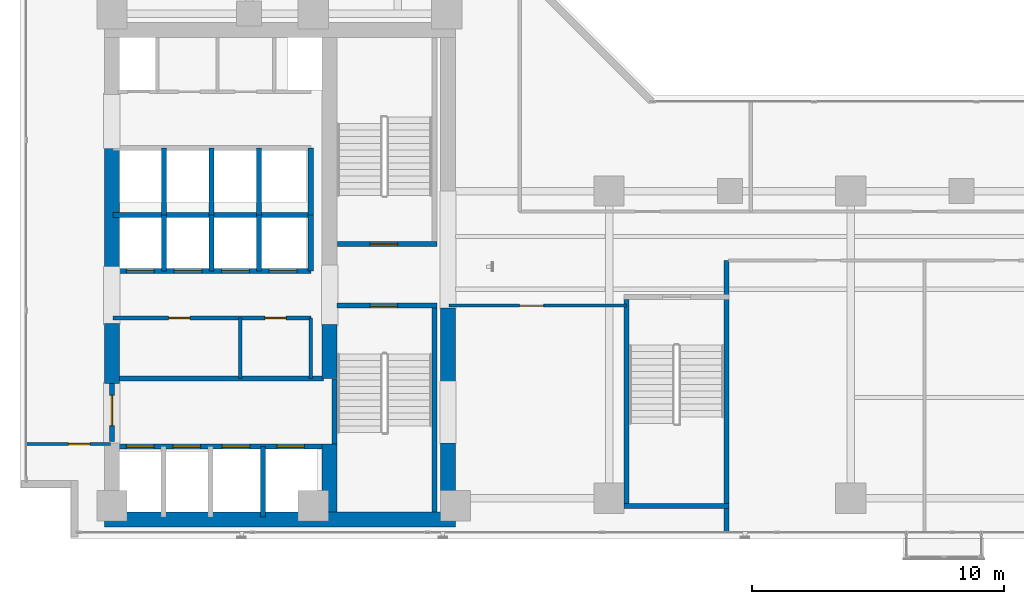
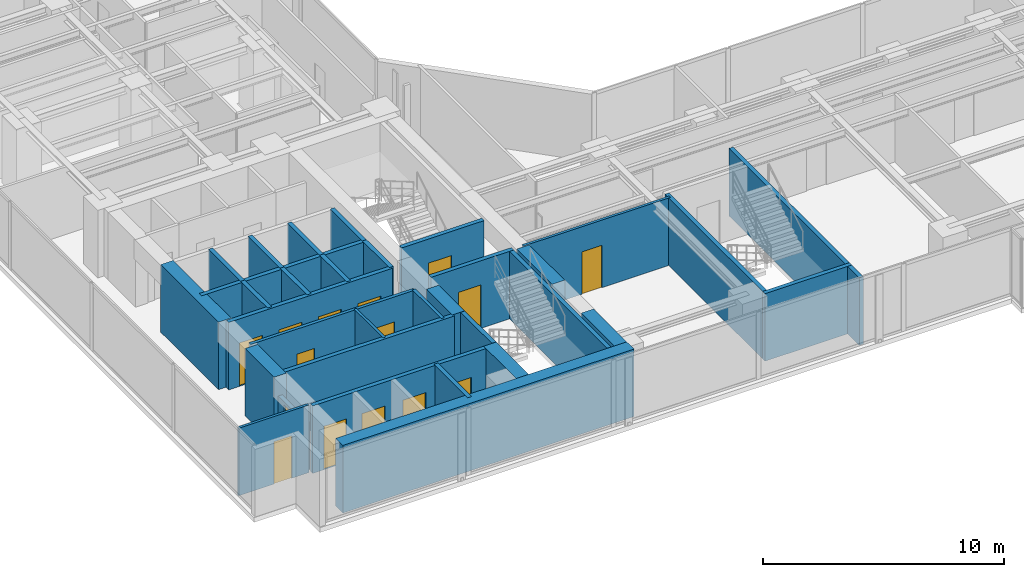
# One storey, part 19 of 26: 33 walls, 15 doors, 15 openings.
"""IFC4 building model written with IfcOpenShell, lengths in metres."""

from ifc_helpers import new_model, si_unit, direction, frame, frame_2d, origin, place, context, subcontext, project, spatial, rectangle, extrude, material, layer, layer_set, type_object, element, fill, save


model = new_model("IFC4")

# Units and contexts
model_context = context("Model", 3, precision=1e-05, world=origin(), true_north=direction((0.0, 1.0)))
body_context = subcontext(model_context, "Body", "Model", "MODEL_VIEW")
ifc_project = project(units=[si_unit("LENGTHUNIT", "METRE"), si_unit("AREAUNIT", "SQUARE_METRE"), si_unit("VOLUMEUNIT", "CUBIC_METRE"), si_unit("PLANEANGLEUNIT", "RADIAN"), si_unit("MASSUNIT", "GRAM", prefix="KILO")], contexts=[model_context])

# Site, building, storey
site_placement = place(None, origin())
site = spatial("IfcSite", under=ifc_project, at=site_placement, CompositionType="ELEMENT")
building_placement = place(site_placement, origin())
building = spatial("IfcBuilding", under=site, at=building_placement, Name="Kolvaren Waterfront Exchange", CompositionType="ELEMENT")
storey_placement = place(building_placement, frame((0.0, 0.0, 195.60009765625)))
storey = spatial("IfcBuildingStorey", under=building, at=storey_placement, Name="L50", CompositionType="ELEMENT", Elevation=195.60009765625)

# Wall, opening, door
ifc_material_1 = material(Name="Precast concrete C40/50", Category="concrete")
ifc_layer_1 = layer(ifc_material_1, 0.199951171875, Name="Precast concrete C40/50")
ifc_layer_set_1 = layer_set([ifc_layer_1], Name="Precast concrete C40/50")
wall_type_1 = type_object("IfcWallType", Name="ARC-FIRE-200", PredefinedType="PARTITIONING", material=ifc_layer_set_1)
wall_1_placement = place(storey_placement, frame((16.39990234375, 12.85009765625, 0.0), z_axis=(0.0, 0.0, 1.0), x_axis=(1.0, 0.0, 0.0)))
wall_1 = element("IfcWall", 1, at=wall_1_placement, inside=storey, type_object=wall_type_1, Name="L50 interior wall PW-L50-ST1-THROAT-S", PredefinedType="PARTITIONING", context=body_context, shape_type="SweptSolid", body=[
    extrude(rectangle(XDim=3.960205078125, YDim=0.199951171875, at=frame_2d((1.97998046875, 0.0))), origin(), (0.0, 0.0, 1.0), 3.419921875),
])
opening_1_placement = place(wall_1_placement, frame((1.3037109375, 0.0, 0.0)))
opening_1 = element("IfcOpeningElement", 2, at=opening_1_placement, cuts=wall_1, Name="Opening FD2", PredefinedType="OPENING", context=body_context, shape_type="SweptSolid", body=[
    extrude(rectangle(XDim=1.10009765625, YDim=2.199951171875, at=frame_2d((0.550048828125, 1.10009765625))), frame((0.0, 0.10986328125, 0.0), z_axis=(0.0, -1.0, 0.0), x_axis=(1.0, 0.0, 0.0)), (0.0, 0.0, 1.0), 0.219970703125),
])
ifc_material_2 = material(Name="Pressed steel smoke-seal fire door", Category="steel")
door_type_1 = type_object("IfcDoorType", Name="ARC-FD-1100", OperationType="NOTDEFINED", PredefinedType="DOOR", material=ifc_material_2)
door_1_placement = place(opening_1_placement, frame((1.10009765625, 0.0, 0.0), z_axis=(0.0, 0.0, 1.0), x_axis=(-1.0, 0.0, 0.0)))
door_1 = element("IfcDoor", 3, at=door_1_placement, inside=storey, type_object=door_type_1, Name="L50 door DR-L50-ST1-IN (FD2)", OperationType="SINGLE_SWING_LEFT", OverallHeight=2.199951171875, OverallWidth=1.10009765625, PredefinedType="DOOR", context=body_context, shape_type="SweptSolid", body=[
    extrude(rectangle(XDim=1.10009765625, YDim=2.199951171875, at=frame_2d((0.550048828125, 1.10009765625))), frame((0.0, 0.02490234375, 0.0), z_axis=(0.0, -1.0, 0.0), x_axis=(1.0, 0.0, 0.0)), (0.0, 0.0, 1.0), 0.050048828125),
])
fill(opening_1, door_1)

wall_2_placement = place(storey_placement, frame((16.409912109375, 15.300048828125, 0.0), z_axis=(0.0, 0.0, 1.0), x_axis=(1.0, 0.0, 0.0)))
wall_2 = element("IfcWall", 4, at=wall_2_placement, inside=storey, type_object=wall_type_1, Name="L50 interior wall PW-L50-ST2-THROAT-N", PredefinedType="PARTITIONING", context=body_context, shape_type="SweptSolid", body=[
    extrude(rectangle(XDim=3.9501953125, YDim=0.199951171875, at=frame_2d((1.97509765625, 0.0))), origin(), (0.0, 0.0, 1.0), 3.419921875),
])
opening_2_placement = place(wall_2_placement, frame((1.293701171875, 0.0, 0.0)))
opening_2 = element("IfcOpeningElement", 5, at=opening_2_placement, cuts=wall_2, Name="Opening FD2", PredefinedType="OPENING", context=body_context, shape_type="SweptSolid", body=[
    extrude(rectangle(XDim=1.10009765625, YDim=2.199951171875, at=frame_2d((0.550048828125, 1.10009765625))), frame((0.0, 0.10986328125, 0.0), z_axis=(0.0, -1.0, 0.0), x_axis=(1.0, 0.0, 0.0)), (0.0, 0.0, 1.0), 0.219970703125),
])
door_2_placement = place(opening_2_placement, origin())
door_2 = element("IfcDoor", 6, at=door_2_placement, inside=storey, type_object=door_type_1, Name="L50 door DR-L50-ST2-IN (FD2)", OperationType="SINGLE_SWING_RIGHT", OverallHeight=2.199951171875, OverallWidth=1.10009765625, PredefinedType="DOOR", context=body_context, shape_type="SweptSolid", body=[
    extrude(rectangle(XDim=1.10009765625, YDim=2.199951171875, at=frame_2d((0.550048828125, 1.10009765625))), frame((0.0, 0.02490234375, 0.0), z_axis=(0.0, -1.0, 0.0), x_axis=(1.0, 0.0, 0.0)), (0.0, 0.0, 1.0), 0.050048828125),
])
fill(opening_2, door_2)

# Wall
wall_3_placement = place(storey_placement, frame((7.5, 9.949951171875, 0.0), z_axis=(0.0, 0.0, 1.0), x_axis=(1.0, 0.0, 0.0)))
element("IfcWall", 7, at=wall_3_placement, inside=storey, type_object=wall_type_1, Name="L50 interior wall PW-L50-FF-N", PredefinedType="PARTITIONING", context=body_context, shape_type="SweptSolid", body=[
    extrude(rectangle(XDim=8.35009765625, YDim=0.199951171875, at=frame_2d((4.175048828125, 0.0))), origin(), (0.0, 0.0, 1.0), 3.419921875),
])

# Wall, opening, door
wall_4_placement = place(storey_placement, frame((7.449951171875, 7.449951171875, 0.0), z_axis=(0.0, 0.0, 1.0), x_axis=(0.0, 1.0, 0.0)))
wall_4 = element("IfcWall", 8, at=wall_4_placement, inside=storey, type_object=wall_type_1, Name="L50 interior wall PW-L50-FF-W-DOOR", PredefinedType="PARTITIONING", context=body_context, shape_type="SweptSolid", body=[
    extrude(rectangle(XDim=2.300048828125, YDim=0.199951171875, at=frame_2d((1.14990234375, 0.0))), origin(), (0.0, 0.0, 1.0), 2.39990234375),
])
opening_3_placement = place(wall_4_placement, frame((0.63330078125, 0.0, 0.0)))
opening_3 = element("IfcOpeningElement", 9, at=opening_3_placement, cuts=wall_4, Name="Opening FD3", PredefinedType="OPENING", context=body_context, shape_type="SweptSolid", body=[
    extrude(rectangle(XDim=1.199951171875, YDim=2.25, at=frame_2d((0.60009765625, 1.125))), frame((0.0, 0.10986328125, 0.0), z_axis=(0.0, -1.0, 0.0), x_axis=(1.0, 0.0, 0.0)), (0.0, 0.0, 1.0), 0.219970703125),
])
ifc_material_3 = material(Name="Pressed steel fire door", Category="steel")
door_type_2 = type_object("IfcDoorType", Name="ARC-FD-1200", OperationType="NOTDEFINED", PredefinedType="DOOR", material=ifc_material_3)
door_3_placement = place(opening_3_placement, frame((1.199951171875, 0.0, 0.0), z_axis=(0.0, 0.0, 1.0), x_axis=(-1.0, 0.0, 0.0)))
door_3 = element("IfcDoor", 10, at=door_3_placement, inside=storey, type_object=door_type_2, Name="L50 door DR-L50-FF-OUT (FD3)", OperationType="SINGLE_SWING_RIGHT", OverallHeight=2.25, OverallWidth=1.199951171875, PredefinedType="DOOR", context=body_context, shape_type="SweptSolid", body=[
    extrude(rectangle(XDim=1.199951171875, YDim=2.25, at=frame_2d((0.60009765625, 1.125))), frame((0.0, 0.02490234375, 0.0), z_axis=(0.0, -1.0, 0.0), x_axis=(1.0, 0.0, 0.0)), (0.0, 0.0, 1.0), 0.050048828125),
])
fill(opening_3, door_3)

# Wall
ifc_material_4 = material(Name="Acoustic gypsum steel stud", Category="steel")
ifc_layer_2 = layer(ifc_material_4, 0.125, Name="Acoustic gypsum steel stud")
ifc_layer_set_2 = layer_set([ifc_layer_2], Name="Acoustic gypsum steel stud")
wall_type_2 = type_object("IfcWallType", Name="ARC-PART-125", PredefinedType="PARTITIONING", material=ifc_layer_set_2)
wall_5_placement = place(storey_placement, frame((12.550048828125, 9.949951171875, 0.0), z_axis=(0.0, 0.0, 1.0), x_axis=(0.0, 1.0, 0.0)))
element("IfcWall", 11, at=wall_5_placement, inside=storey, type_object=wall_type_2, Name="L50 interior wall PW-L50-REC-PL-MID", PredefinedType="PARTITIONING", context=body_context, shape_type="SweptSolid", body=[
    extrude(rectangle(XDim=2.41015625, YDim=0.125, at=frame_2d((1.205078125, 0.0))), origin(), (0.0, 0.0, 1.0), 3.419921875),
])

# Wall, opening, door
wall_6_placement = place(storey_placement, frame((4.0400390625, 7.35009765625, 0.0), z_axis=(0.0, 0.0, 1.0), x_axis=(1.0, 0.0, 0.0)))
wall_6 = element("IfcWall", 12, at=wall_6_placement, inside=storey, type_object=wall_type_2, Name="L50 interior wall PW-L50-SWC-N", PredefinedType="PARTITIONING", context=body_context, shape_type="SweptSolid", body=[
    extrude(rectangle(XDim=3.35986328125, YDim=0.125, at=frame_2d((1.679931640625, 0.0))), origin(), (0.0, 0.0, 1.0), 3.419921875),
])
opening_4_placement = place(wall_6_placement, frame((1.686767578125, 0.0, 0.0)))
opening_4 = element("IfcOpeningElement", 13, at=opening_4_placement, cuts=wall_6, Name="Opening D01", PredefinedType="OPENING", context=body_context, shape_type="SweptSolid", body=[
    extrude(rectangle(XDim=0.85009765625, YDim=2.14990234375, at=frame_2d((0.425048828125, 1.074951171875))), frame((0.0, 0.072509765625, 0.0), z_axis=(0.0, -1.0, 0.0), x_axis=(1.0, 0.0, 0.0)), (0.0, 0.0, 1.0), 0.14501953125),
])
ifc_material_5 = material(Name="Oak veneer timber leaf", Category="wood")
door_type_3 = type_object("IfcDoorType", Name="ARC-DR-900", OperationType="NOTDEFINED", PredefinedType="DOOR", material=ifc_material_5)
door_4_placement = place(opening_4_placement, origin())
door_4 = element("IfcDoor", 14, at=door_4_placement, inside=storey, type_object=door_type_3, Name="L50 door DR-L50-SWC-D (D01)", OperationType="SINGLE_SWING_LEFT", OverallHeight=2.14990234375, OverallWidth=0.85009765625, PredefinedType="DOOR", context=body_context, shape_type="SweptSolid", body=[
    extrude(rectangle(XDim=0.85009765625, YDim=2.14990234375, at=frame_2d((0.425048828125, 1.074951171875))), frame((0.0, 0.02490234375, 0.0), z_axis=(0.0, -1.0, 0.0), x_axis=(1.0, 0.0, 0.0)), (0.0, 0.0, 1.0), 0.050048828125),
])
fill(opening_4, door_4)

wall_7_placement = place(storey_placement, frame((20.85009765625, 12.85009765625, 0.0), z_axis=(0.0, 0.0, 1.0), x_axis=(1.0, 0.0, 0.0)))
wall_7 = element("IfcWall", 15, at=wall_7_placement, inside=storey, type_object=wall_type_2, Name="L50 interior wall PW-L50-SWST3-N", PredefinedType="PARTITIONING", context=body_context, shape_type="SweptSolid", body=[
    extrude(rectangle(XDim=7.0498046875, YDim=0.125, at=frame_2d((3.52490234375, 0.0))), origin(), (0.0, 0.0, 1.0), 3.419921875),
])
opening_5_placement = place(wall_7_placement, frame((2.800048828125, 0.0, 0.0)))
opening_5 = element("IfcOpeningElement", 16, at=opening_5_placement, cuts=wall_7, Name="Opening D02", PredefinedType="OPENING", context=body_context, shape_type="SweptSolid", body=[
    extrude(rectangle(XDim=0.949951171875, YDim=2.14990234375, at=frame_2d((0.47509765625, 1.074951171875))), frame((0.0, 0.072509765625, 0.0), z_axis=(0.0, -1.0, 0.0), x_axis=(1.0, 0.0, 0.0)), (0.0, 0.0, 1.0), 0.14501953125),
])
ifc_material_6 = material(Name="Oak veneer acoustic timber", Category="wood")
door_type_4 = type_object("IfcDoorType", Name="ARC-DR-950", OperationType="NOTDEFINED", PredefinedType="DOOR", material=ifc_material_6)
door_5_placement = place(opening_5_placement, origin())
door_5 = element("IfcDoor", 17, at=door_5_placement, inside=storey, type_object=door_type_4, Name="L50 door DR-L50-SWST3-D (D02)", OperationType="SINGLE_SWING_RIGHT", OverallHeight=2.14990234375, OverallWidth=0.949951171875, PredefinedType="DOOR", context=body_context, shape_type="SweptSolid", body=[
    extrude(rectangle(XDim=0.949951171875, YDim=2.14990234375, at=frame_2d((0.47509765625, 1.074951171875))), frame((0.0, 0.02490234375, 0.0), z_axis=(0.0, -1.0, 0.0), x_axis=(1.0, 0.0, 0.0)), (0.0, 0.0, 1.0), 0.050048828125),
])
fill(opening_5, door_5)

# Wall, openings, doors
ifc_material_7 = material(Name="Gypsum fireboard steel stud", Category="steel")
ifc_layer_3 = layer(ifc_material_7, 0.14990234375, Name="Gypsum fireboard steel stud")
ifc_layer_set_3 = layer_set([ifc_layer_3], Name="Gypsum fireboard steel stud")
wall_type_3 = type_object("IfcWallType", Name="ARC-PART-150", PredefinedType="PARTITIONING", material=ifc_layer_set_3)
wall_8_placement = place(storey_placement, frame((7.5, 12.360107421875, 0.0), z_axis=(0.0, 0.0, 1.0), x_axis=(1.0, 0.0, 0.0)))
wall_8 = element("IfcWall", 18, at=wall_8_placement, inside=storey, type_object=wall_type_3, Name="L50 interior wall PW-L50-REC-PL-N", PredefinedType="PARTITIONING", context=body_context, shape_type="SweptSolid", body=[
    extrude(rectangle(XDim=7.85009765625, YDim=0.14990234375, at=frame_2d((3.925048828125, 0.0))), origin(), (0.0, 0.0, 1.0), 3.419921875),
])
opening_6_placement = place(wall_8_placement, frame((2.202392578125, 0.0, 0.0)))
opening_6 = element("IfcOpeningElement", 19, at=opening_6_placement, cuts=wall_8, Name="Opening D01", PredefinedType="OPENING", context=body_context, shape_type="SweptSolid", body=[
    extrude(rectangle(XDim=0.85009765625, YDim=2.14990234375, at=frame_2d((0.425048828125, 1.074951171875))), frame((0.0, 0.0849609375, 0.0), z_axis=(0.0, -1.0, 0.0), x_axis=(1.0, 0.0, 0.0)), (0.0, 0.0, 1.0), 0.169921875),
])
opening_7_placement = place(wall_8_placement, frame((6.02490234375, 0.0, 0.0)))
opening_7 = element("IfcOpeningElement", 20, at=opening_7_placement, cuts=wall_8, Name="Opening D01", PredefinedType="OPENING", context=body_context, shape_type="SweptSolid", body=[
    extrude(rectangle(XDim=0.85009765625, YDim=2.14990234375, at=frame_2d((0.425048828125, 1.074951171875))), frame((0.0, 0.0849609375, 0.0), z_axis=(0.0, -1.0, 0.0), x_axis=(1.0, 0.0, 0.0)), (0.0, 0.0, 1.0), 0.169921875),
])
door_6_placement = place(opening_6_placement, origin())
door_6 = element("IfcDoor", 21, at=door_6_placement, inside=storey, type_object=door_type_3, Name="L50 door DR-L50-REC-PL-D1 (D01)", OperationType="SINGLE_SWING_LEFT", OverallHeight=2.14990234375, OverallWidth=0.85009765625, PredefinedType="DOOR", context=body_context, shape_type="SweptSolid", body=[
    extrude(rectangle(XDim=0.85009765625, YDim=2.14990234375, at=frame_2d((0.425048828125, 1.074951171875))), frame((0.0, 0.02490234375, 0.0), z_axis=(0.0, -1.0, 0.0), x_axis=(1.0, 0.0, 0.0)), (0.0, 0.0, 1.0), 0.050048828125),
])
fill(opening_6, door_6)
door_7_placement = place(opening_7_placement, origin())
door_7 = element("IfcDoor", 22, at=door_7_placement, inside=storey, type_object=door_type_3, Name="L50 door DR-L50-REC-PL-D2 (D01)", OperationType="SINGLE_SWING_RIGHT", OverallHeight=2.14990234375, OverallWidth=0.85009765625, PredefinedType="DOOR", context=body_context, shape_type="SweptSolid", body=[
    extrude(rectangle(XDim=0.85009765625, YDim=2.14990234375, at=frame_2d((0.425048828125, 1.074951171875))), frame((0.0, 0.02490234375, 0.0), z_axis=(0.0, -1.0, 0.0), x_axis=(1.0, 0.0, 0.0)), (0.0, 0.0, 1.0), 0.050048828125),
])
fill(opening_7, door_7)

# Walls
wall_9_placement = place(storey_placement, frame((15.35009765625, 9.949951171875, 0.0), z_axis=(0.0, 0.0, 1.0), x_axis=(0.0, 1.0, 0.0)))
element("IfcWall", 23, at=wall_9_placement, inside=storey, type_object=wall_type_3, Name="L50 interior wall PW-L50-REC-PL-E", PredefinedType="PARTITIONING", context=body_context, shape_type="SweptSolid", body=[
    extrude(rectangle(XDim=2.41015625, YDim=0.14990234375, at=frame_2d((1.205078125, 0.0))), origin(), (0.0, 0.0, 1.0), 3.419921875),
])
ifc_material_8 = material(Name="Concrete C40/50", Category="concrete")
ifc_layer_4 = layer(ifc_material_8, 0.199951171875, Name="Concrete C40/50")
ifc_layer_set_4 = layer_set([ifc_layer_4], Name="Concrete C40/50")
wall_type_4 = type_object("IfcWallType", Name="ARC-SHAFT-200", PredefinedType="PARTITIONING", material=ifc_layer_set_4)
wall_10_placement = place(storey_placement, frame((16.300048828125, 7.360107421875, 0.0), z_axis=(0.0, 0.0, 1.0), x_axis=(0.0, 1.0, 0.0)))
element("IfcWall", 24, at=wall_10_placement, inside=storey, type_object=wall_type_4, Name="L50 structural stairwell wall PW-L50-ST1-W", PredefinedType="SHEAR", context=body_context, shape_type="SweptSolid", body=[
    extrude(rectangle(XDim=2.579833984375, YDim=0.199951171875, at=frame_2d((1.2900390625, 0.0))), origin(), (0.0, 0.0, 1.0), 3.419921875),
])
wall_11_placement = place(storey_placement, frame((20.260009765625, 4.659912109375, 0.0), z_axis=(0.0, 0.0, 1.0), x_axis=(0.0, 1.0, 0.0)))
element("IfcWall", 25, at=wall_11_placement, inside=storey, type_object=wall_type_4, Name="L50 structural stairwell wall PW-L50-ST1-E", PredefinedType="SHEAR", context=body_context, shape_type="SweptSolid", body=[
    extrude(rectangle(XDim=8.090087890625, YDim=0.199951171875, at=frame_2d((4.044921875, 0.0))), origin(), (0.0, 0.0, 1.0), 3.419921875),
])
wall_12_placement = place(storey_placement, frame((27.89990234375, 5.0, 0.0), z_axis=(0.0, 0.0, 1.0), x_axis=(0.0, 1.0, 0.0)))
element("IfcWall", 26, at=wall_12_placement, inside=storey, type_object=wall_type_4, Name="L50 structural stairwell wall PW-L50-ST3-W", PredefinedType="SHEAR", context=body_context, shape_type="SweptSolid", body=[
    extrude(rectangle(XDim=8.10009765625, YDim=0.199951171875, at=frame_2d((4.050048828125, 0.0))), origin(), (0.0, 0.0, 1.0), 3.419921875),
])
wall_13_placement = place(storey_placement, frame((31.860107421875, 3.840087890625, 0.0), z_axis=(0.0, 0.0, 1.0), x_axis=(0.0, 1.0, 0.0)))
element("IfcWall", 27, at=wall_13_placement, inside=storey, type_object=wall_type_4, Name="L50 structural stairwell wall PW-L50-ST3-E", PredefinedType="SHEAR", context=body_context, shape_type="SweptSolid", body=[
    extrude(rectangle(XDim=10.809814453125, YDim=0.199951171875, at=frame_2d((5.40478515625, 0.0))), origin(), (0.0, 0.0, 1.0), 3.419921875),
])
wall_14_placement = place(storey_placement, frame((27.800048828125, 4.89990234375, 0.0), z_axis=(0.0, 0.0, 1.0), x_axis=(1.0, 0.0, 0.0)))
element("IfcWall", 28, at=wall_14_placement, inside=storey, type_object=wall_type_4, Name="L50 structural stairwell wall PW-L50-ST3-S", PredefinedType="SHEAR", context=body_context, shape_type="SweptSolid", body=[
    extrude(rectangle(XDim=4.159912109375, YDim=0.199951171875, at=frame_2d((2.080078125, 0.0))), origin(), (0.0, 0.0, 1.0), 3.419921875),
])

# Wall, openings, doors
wall_15_placement = place(storey_placement, frame((7.5, 7.25, 0.0), z_axis=(0.0, 0.0, 1.0), x_axis=(1.0, 0.0, 0.0)))
wall_15 = element("IfcWall", 29, at=wall_15_placement, inside=storey, type_object=wall_type_4, Name="L50 interior wall PW-L50-FF-S", PredefinedType="PARTITIONING", context=body_context, shape_type="SweptSolid", body=[
    extrude(rectangle(XDim=8.35009765625, YDim=0.199951171875, at=frame_2d((4.175048828125, 0.0))), origin(), (0.0, 0.0, 1.0), 3.419921875),
])
opening_8_placement = place(wall_15_placement, frame((0.530029296875, 0.0, 0.0)))
opening_8 = element("IfcOpeningElement", 30, at=opening_8_placement, cuts=wall_15, Name="Opening LD1", PredefinedType="OPENING", context=body_context, shape_type="SweptSolid", body=[
    extrude(rectangle(XDim=1.10009765625, YDim=2.199951171875, at=frame_2d((0.550048828125, 1.10009765625))), frame((0.0, 0.10986328125, 0.0), z_axis=(0.0, -1.0, 0.0), x_axis=(1.0, 0.0, 0.0)), (0.0, 0.0, 1.0), 0.219970703125),
])
opening_9_placement = place(wall_15_placement, frame((2.3701171875, 0.0, 0.0)))
opening_9 = element("IfcOpeningElement", 31, at=opening_9_placement, cuts=wall_15, Name="Opening LD1", PredefinedType="OPENING", context=body_context, shape_type="SweptSolid", body=[
    extrude(rectangle(XDim=1.10009765625, YDim=2.199951171875, at=frame_2d((0.550048828125, 1.10009765625))), frame((0.0, 0.10986328125, 0.0), z_axis=(0.0, -1.0, 0.0), x_axis=(1.0, 0.0, 0.0)), (0.0, 0.0, 1.0), 0.219970703125),
])
opening_10_placement = place(wall_15_placement, frame((4.330078125, 0.0, 0.0)))
opening_10 = element("IfcOpeningElement", 32, at=opening_10_placement, cuts=wall_15, Name="Opening LD1", PredefinedType="OPENING", context=body_context, shape_type="SweptSolid", body=[
    extrude(rectangle(XDim=1.10009765625, YDim=2.199951171875, at=frame_2d((0.550048828125, 1.10009765625))), frame((0.0, 0.10986328125, 0.0), z_axis=(0.0, -1.0, 0.0), x_axis=(1.0, 0.0, 0.0)), (0.0, 0.0, 1.0), 0.219970703125),
])
opening_11_placement = place(wall_15_placement, frame((6.5, 0.0, 0.0)))
opening_11 = element("IfcOpeningElement", 33, at=opening_11_placement, cuts=wall_15, Name="Opening LD1", PredefinedType="OPENING", context=body_context, shape_type="SweptSolid", body=[
    extrude(rectangle(XDim=1.10009765625, YDim=2.199951171875, at=frame_2d((0.550048828125, 1.10009765625))), frame((0.0, 0.10986328125, 0.0), z_axis=(0.0, -1.0, 0.0), x_axis=(1.0, 0.0, 0.0)), (0.0, 0.0, 1.0), 0.219970703125),
])
ifc_material_9 = material(Name="Stainless steel sliding landing door", Category="steel")
door_type_5 = type_object("IfcDoorType", Name="ARC-LD-FF", OperationType="SLIDING_TO_LEFT", PredefinedType="DOOR", material=ifc_material_9)
door_8_placement = place(opening_8_placement, origin())
door_8 = element("IfcDoor", 34, at=door_8_placement, inside=storey, type_object=door_type_5, Name="L50 door LD-L50-FFL1 (LD1)", OperationType="SLIDING_TO_LEFT", OverallHeight=2.199951171875, OverallWidth=1.10009765625, PredefinedType="DOOR", context=body_context, shape_type="SweptSolid", body=[
    extrude(rectangle(XDim=1.10009765625, YDim=2.199951171875, at=frame_2d((0.550048828125, 1.10009765625))), frame((0.0, 0.02490234375, 0.0), z_axis=(0.0, -1.0, 0.0), x_axis=(1.0, 0.0, 0.0)), (0.0, 0.0, 1.0), 0.050048828125),
])
fill(opening_8, door_8)
door_9_placement = place(opening_9_placement, origin())
door_9 = element("IfcDoor", 35, at=door_9_placement, inside=storey, type_object=door_type_5, Name="L50 door LD-L50-FFL2 (LD1)", OperationType="SLIDING_TO_LEFT", OverallHeight=2.199951171875, OverallWidth=1.10009765625, PredefinedType="DOOR", context=body_context, shape_type="SweptSolid", body=[
    extrude(rectangle(XDim=1.10009765625, YDim=2.199951171875, at=frame_2d((0.550048828125, 1.10009765625))), frame((0.0, 0.02490234375, 0.0), z_axis=(0.0, -1.0, 0.0), x_axis=(1.0, 0.0, 0.0)), (0.0, 0.0, 1.0), 0.050048828125),
])
fill(opening_9, door_9)
door_10_placement = place(opening_10_placement, origin())
door_10 = element("IfcDoor", 36, at=door_10_placement, inside=storey, type_object=door_type_5, Name="L50 door LD-L50-GL1 (LD1)", OperationType="SLIDING_TO_LEFT", OverallHeight=2.199951171875, OverallWidth=1.10009765625, PredefinedType="DOOR", context=body_context, shape_type="SweptSolid", body=[
    extrude(rectangle(XDim=1.10009765625, YDim=2.199951171875, at=frame_2d((0.550048828125, 1.10009765625))), frame((0.0, 0.02490234375, 0.0), z_axis=(0.0, -1.0, 0.0), x_axis=(1.0, 0.0, 0.0)), (0.0, 0.0, 1.0), 0.050048828125),
])
fill(opening_10, door_10)
door_11_placement = place(opening_11_placement, origin())
door_11 = element("IfcDoor", 37, at=door_11_placement, inside=storey, type_object=door_type_5, Name="L50 door LD-L50-GL2 (LD1)", OperationType="SLIDING_TO_LEFT", OverallHeight=2.199951171875, OverallWidth=1.10009765625, PredefinedType="DOOR", context=body_context, shape_type="SweptSolid", body=[
    extrude(rectangle(XDim=1.10009765625, YDim=2.199951171875, at=frame_2d((0.550048828125, 1.10009765625))), frame((0.0, 0.02490234375, 0.0), z_axis=(0.0, -1.0, 0.0), x_axis=(1.0, 0.0, 0.0)), (0.0, 0.0, 1.0), 0.050048828125),
])
fill(opening_11, door_11)

# Wall
wall_16_placement = place(storey_placement, frame((13.4599609375, 4.449951171875, 0.0), z_axis=(0.0, 0.0, 1.0), x_axis=(0.0, 1.0, 0.0)))
element("IfcWall", 38, at=wall_16_placement, inside=storey, type_object=wall_type_4, Name="L50 interior wall PW-L50-SH1-DIV-134", PredefinedType="PARTITIONING", context=body_context, shape_type="SweptSolid", body=[
    extrude(rectangle(XDim=2.800048828125, YDim=0.199951171875, at=frame_2d((1.39990234375, 0.0))), origin(), (0.0, 0.0, 1.0), 3.419921875),
])

# Wall, openings, doors
wall_17_placement = place(storey_placement, frame((7.5, 14.219970703125, 0.0), z_axis=(0.0, 0.0, 1.0), x_axis=(1.0, 0.0, 0.0)))
wall_17 = element("IfcWall", 39, at=wall_17_placement, inside=storey, type_object=wall_type_4, Name="L50 interior wall PW-L50-PM-S", PredefinedType="PARTITIONING", context=body_context, shape_type="SweptSolid", body=[
    extrude(rectangle(XDim=7.85009765625, YDim=0.199951171875, at=frame_2d((3.925048828125, 0.0))), origin(), (0.0, 0.0, 1.0), 3.419921875),
])
opening_12_placement = place(wall_17_placement, frame((0.530029296875, 0.0, 0.0)))
opening_12 = element("IfcOpeningElement", 40, at=opening_12_placement, cuts=wall_17, Name="Opening LD2", PredefinedType="OPENING", context=body_context, shape_type="SweptSolid", body=[
    extrude(rectangle(XDim=1.10009765625, YDim=2.199951171875, at=frame_2d((0.550048828125, 1.10009765625))), frame((0.0, 0.10986328125, 0.0), z_axis=(0.0, -1.0, 0.0), x_axis=(1.0, 0.0, 0.0)), (0.0, 0.0, 1.0), 0.219970703125),
])
opening_13_placement = place(wall_17_placement, frame((2.419921875, 0.0, 0.0)))
opening_13 = element("IfcOpeningElement", 41, at=opening_13_placement, cuts=wall_17, Name="Opening LD2", PredefinedType="OPENING", context=body_context, shape_type="SweptSolid", body=[
    extrude(rectangle(XDim=1.10009765625, YDim=2.199951171875, at=frame_2d((0.550048828125, 1.10009765625))), frame((0.0, 0.10986328125, 0.0), z_axis=(0.0, -1.0, 0.0), x_axis=(1.0, 0.0, 0.0)), (0.0, 0.0, 1.0), 0.219970703125),
])
opening_14_placement = place(wall_17_placement, frame((4.31005859375, 0.0, 0.0)))
opening_14 = element("IfcOpeningElement", 42, at=opening_14_placement, cuts=wall_17, Name="Opening LD2", PredefinedType="OPENING", context=body_context, shape_type="SweptSolid", body=[
    extrude(rectangle(XDim=1.10009765625, YDim=2.199951171875, at=frame_2d((0.550048828125, 1.10009765625))), frame((0.0, 0.10986328125, 0.0), z_axis=(0.0, -1.0, 0.0), x_axis=(1.0, 0.0, 0.0)), (0.0, 0.0, 1.0), 0.219970703125),
])
opening_15_placement = place(wall_17_placement, frame((6.199951171875, 0.0, 0.0)))
opening_15 = element("IfcOpeningElement", 43, at=opening_15_placement, cuts=wall_17, Name="Opening LD2", PredefinedType="OPENING", context=body_context, shape_type="SweptSolid", body=[
    extrude(rectangle(XDim=1.10009765625, YDim=2.199951171875, at=frame_2d((0.550048828125, 1.10009765625))), frame((0.0, 0.10986328125, 0.0), z_axis=(0.0, -1.0, 0.0), x_axis=(1.0, 0.0, 0.0)), (0.0, 0.0, 1.0), 0.219970703125),
])
ifc_material_10 = material(Name="Brushed bronze sliding landing door", Category="aluminium")
door_type_6 = type_object("IfcDoorType", Name="ARC-LD-PAX", OperationType="SLIDING_TO_LEFT", PredefinedType="DOOR", material=ifc_material_10)
door_12_placement = place(opening_12_placement, frame((1.10009765625, 0.0, 0.0), z_axis=(0.0, 0.0, 1.0), x_axis=(-1.0, 0.0, 0.0)))
door_12 = element("IfcDoor", 44, at=door_12_placement, inside=storey, type_object=door_type_6, Name="L50 door LD-L50-PM1 (LD2)", OperationType="SLIDING_TO_LEFT", OverallHeight=2.199951171875, OverallWidth=1.10009765625, PredefinedType="DOOR", context=body_context, shape_type="SweptSolid", body=[
    extrude(rectangle(XDim=1.10009765625, YDim=2.199951171875, at=frame_2d((0.550048828125, 1.10009765625))), frame((0.0, 0.02490234375, 0.0), z_axis=(0.0, -1.0, 0.0), x_axis=(1.0, 0.0, 0.0)), (0.0, 0.0, 1.0), 0.050048828125),
])
fill(opening_12, door_12)
door_13_placement = place(opening_13_placement, frame((1.10009765625, 0.0, 0.0), z_axis=(0.0, 0.0, 1.0), x_axis=(-1.0, 0.0, 0.0)))
door_13 = element("IfcDoor", 45, at=door_13_placement, inside=storey, type_object=door_type_6, Name="L50 door LD-L50-PM2 (LD2)", OperationType="SLIDING_TO_LEFT", OverallHeight=2.199951171875, OverallWidth=1.10009765625, PredefinedType="DOOR", context=body_context, shape_type="SweptSolid", body=[
    extrude(rectangle(XDim=1.10009765625, YDim=2.199951171875, at=frame_2d((0.550048828125, 1.10009765625))), frame((0.0, 0.02490234375, 0.0), z_axis=(0.0, -1.0, 0.0), x_axis=(1.0, 0.0, 0.0)), (0.0, 0.0, 1.0), 0.050048828125),
])
fill(opening_13, door_13)
door_14_placement = place(opening_14_placement, frame((1.10009765625, 0.0, 0.0), z_axis=(0.0, 0.0, 1.0), x_axis=(-1.0, 0.0, 0.0)))
door_14 = element("IfcDoor", 46, at=door_14_placement, inside=storey, type_object=door_type_6, Name="L50 door LD-L50-PM3 (LD2)", OperationType="SLIDING_TO_LEFT", OverallHeight=2.199951171875, OverallWidth=1.10009765625, PredefinedType="DOOR", context=body_context, shape_type="SweptSolid", body=[
    extrude(rectangle(XDim=1.10009765625, YDim=2.199951171875, at=frame_2d((0.550048828125, 1.10009765625))), frame((0.0, 0.02490234375, 0.0), z_axis=(0.0, -1.0, 0.0), x_axis=(1.0, 0.0, 0.0)), (0.0, 0.0, 1.0), 0.050048828125),
])
fill(opening_14, door_14)
door_15_placement = place(opening_15_placement, frame((1.10009765625, 0.0, 0.0), z_axis=(0.0, 0.0, 1.0), x_axis=(-1.0, 0.0, 0.0)))
door_15 = element("IfcDoor", 47, at=door_15_placement, inside=storey, type_object=door_type_6, Name="L50 door LD-L50-PM4 (LD2)", OperationType="SLIDING_TO_LEFT", OverallHeight=2.199951171875, OverallWidth=1.10009765625, PredefinedType="DOOR", context=body_context, shape_type="SweptSolid", body=[
    extrude(rectangle(XDim=1.10009765625, YDim=2.199951171875, at=frame_2d((0.550048828125, 1.10009765625))), frame((0.0, 0.02490234375, 0.0), z_axis=(0.0, -1.0, 0.0), x_axis=(1.0, 0.0, 0.0)), (0.0, 0.0, 1.0), 0.050048828125),
])
fill(opening_15, door_15)

# Walls
wall_18_placement = place(storey_placement, frame((7.5, 16.449951171875, 0.0), z_axis=(0.0, 0.0, 1.0), x_axis=(1.0, 0.0, 0.0)))
element("IfcWall", 48, at=wall_18_placement, inside=storey, type_object=wall_type_4, Name="L50 interior wall PW-L50-PM-N", PredefinedType="PARTITIONING", context=body_context, shape_type="SweptSolid", body=[
    extrude(rectangle(XDim=7.85009765625, YDim=0.199951171875, at=frame_2d((3.925048828125, 0.0))), origin(), (0.0, 0.0, 1.0), 3.419921875),
])
for number, where, z_axis, x_axis, name in (
    (49, (15.35009765625, 14.219970703125, 0.0), (0.0, 0.0, 1.0), (0.0, 1.0, 0.0), "L50 interior wall PW-L50-PM-E"),
    (50, (9.52001953125, 14.219970703125, 0.0), (0.0, 0.0, 1.0), (0.0, 1.0, 0.0), "L50 interior wall PW-L50-SH3-DIV-95"),
    (51, (11.409912109375, 14.219970703125, 0.0), (0.0, 0.0, 1.0), (0.0, 1.0, 0.0), "L50 interior wall PW-L50-SH3-DIV-114"),
    (52, (13.300048828125, 14.219970703125, 0.0), (0.0, 0.0, 1.0), (0.0, 1.0, 0.0), "L50 interior wall PW-L50-SH3-DIV-133"),
):
    element("IfcWall", number, at=place(storey_placement, frame(where, z_axis=z_axis, x_axis=x_axis)), inside=storey, type_object=wall_type_4, Name=name, PredefinedType="PARTITIONING", context=body_context, shape_type="SweptSolid", body=[
        extrude(rectangle(XDim=2.22998046875, YDim=0.199951171875, at=frame_2d((1.114990234375, 0.0))), origin(), (0.0, 0.0, 1.0), 3.419921875),
    ])
for number, where, z_axis, x_axis, name in (
    (53, (15.35009765625, 16.449951171875, 0.0), (0.0, 0.0, 1.0), (0.0, 1.0, 0.0), "L50 interior wall PW-L50-PH-E"),
    (54, (9.52001953125, 16.449951171875, 0.0), (0.0, 0.0, 1.0), (0.0, 1.0, 0.0), "L50 interior wall PW-L50-SH4-DIV-95"),
    (55, (11.409912109375, 16.449951171875, 0.0), (0.0, 0.0, 1.0), (0.0, 1.0, 0.0), "L50 interior wall PW-L50-SH4-DIV-114"),
    (56, (13.300048828125, 16.449951171875, 0.0), (0.0, 0.0, 1.0), (0.0, 1.0, 0.0), "L50 interior wall PW-L50-SH4-DIV-133"),
):
    element("IfcWall", number, at=place(storey_placement, frame(where, z_axis=z_axis, x_axis=x_axis)), inside=storey, type_object=wall_type_4, Name=name, PredefinedType="PARTITIONING", context=body_context, shape_type="SweptSolid", body=[
        extrude(rectangle(XDim=2.670166015625, YDim=0.199951171875, at=frame_2d((1.3349609375, 0.0))), origin(), (0.0, 0.0, 1.0), 3.419921875),
    ])
ifc_material_11 = material(Name="Concrete C60/75", Category="concrete")
ifc_layer_5 = layer(ifc_material_11, 0.60009765625, Name="Concrete C60/75")
ifc_layer_set_5 = layer_set([ifc_layer_5], Name="Concrete C60/75")
wall_type_5 = type_object("IfcWallType", Name="STR-CWALL-600", PredefinedType="SHEAR", material=ifc_layer_set_5)
wall_19_placement = place(storey_placement, frame((7.14990234375, 4.35009765625, 0.0), z_axis=(0.0, 0.0, 1.0), x_axis=(1.0, 0.0, 0.0)))
element("IfcWall", 57, at=wall_19_placement, inside=storey, type_object=wall_type_5, Name="L50 rear-core shear wall S", PredefinedType="SHEAR", context=body_context, shape_type="SweptSolid", body=[
    extrude(rectangle(XDim=13.9501953125, YDim=0.60009765625, at=frame_2d((6.97509765625, 0.0))), origin(), (0.0, 0.0, 1.0), 3.419921875),
])
wall_20_placement = place(storey_placement, frame((7.449951171875, 9.75, 0.0), z_axis=(0.0, 0.0, 1.0), x_axis=(0.0, 1.0, 0.0)))
element("IfcWall", 58, at=wall_20_placement, inside=storey, type_object=wall_type_5, Name="L50 rear-core shear wall W2A", PredefinedType="SHEAR", context=body_context, shape_type="SweptSolid", body=[
    extrude(rectangle(XDim=2.39990234375, YDim=0.60009765625, at=frame_2d((1.199951171875, 0.0))), origin(), (0.0, 0.0, 1.0), 3.419921875),
])
wall_21_placement = place(storey_placement, frame((7.449951171875, 14.35009765625, 0.0), z_axis=(0.0, 0.0, 1.0), x_axis=(0.0, 1.0, 0.0)))
element("IfcWall", 59, at=wall_21_placement, inside=storey, type_object=wall_type_5, Name="L50 rear-core shear wall W2B", PredefinedType="SHEAR", context=body_context, shape_type="SweptSolid", body=[
    extrude(rectangle(XDim=4.809814453125, YDim=0.60009765625, at=frame_2d((2.40478515625, 0.0))), origin(), (0.0, 0.0, 1.0), 3.419921875),
])
wall_22_placement = place(storey_placement, frame((20.800048828125, 4.64990234375, 0.0), z_axis=(0.0, 0.0, 1.0), x_axis=(0.0, 1.0, 0.0)))
element("IfcWall", 60, at=wall_22_placement, inside=storey, type_object=wall_type_5, Name="L50 rear-core shear wall E1", PredefinedType="SHEAR", context=body_context, shape_type="SweptSolid", body=[
    extrude(rectangle(XDim=2.75, YDim=0.60009765625, at=frame_2d((1.375, 0.0))), origin(), (0.0, 0.0, 1.0), 3.419921875),
])
wall_23_placement = place(storey_placement, frame((20.800048828125, 9.800048828125, 0.0), z_axis=(0.0, 0.0, 1.0), x_axis=(0.0, 1.0, 0.0)))
element("IfcWall", 61, at=wall_23_placement, inside=storey, type_object=wall_type_5, Name="L50 rear-core shear wall E2", PredefinedType="SHEAR", context=body_context, shape_type="SweptSolid", body=[
    extrude(rectangle(XDim=2.949951171875, YDim=0.60009765625, at=frame_2d((1.47509765625, 0.0))), origin(), (0.0, 0.0, 1.0), 3.419921875),
])
wall_24_placement = place(storey_placement, frame((16.10009765625, 4.64990234375, 0.0), z_axis=(0.0, 0.0, 1.0), x_axis=(0.0, 1.0, 0.0)))
element("IfcWall", 62, at=wall_24_placement, inside=storey, type_object=wall_type_5, Name="L50 rear-core shear wall M1", PredefinedType="SHEAR", context=body_context, shape_type="SweptSolid", body=[
    extrude(rectangle(XDim=2.7001953125, YDim=0.60009765625, at=frame_2d((1.35009765625, 0.0))), origin(), (0.0, 0.0, 1.0), 3.419921875),
])
wall_25_placement = place(storey_placement, frame((16.10009765625, 9.949951171875, 0.0), z_axis=(0.0, 0.0, 1.0), x_axis=(0.0, 1.0, 0.0)))
element("IfcWall", 63, at=wall_25_placement, inside=storey, type_object=wall_type_5, Name="L50 rear-core shear wall M2", PredefinedType="SHEAR", context=body_context, shape_type="SweptSolid", body=[
    extrude(rectangle(XDim=2.150146484375, YDim=0.60009765625, at=frame_2d((1.0751953125, 0.0))), origin(), (0.0, 0.0, 1.0), 3.419921875),
])

save(model, "model.ifc")
